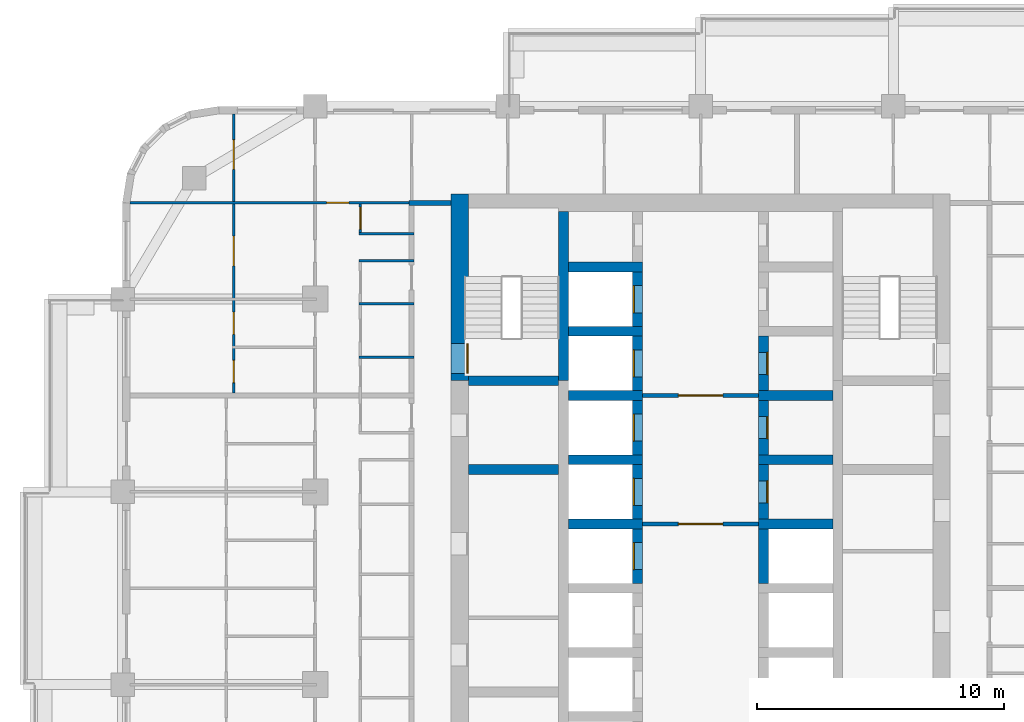
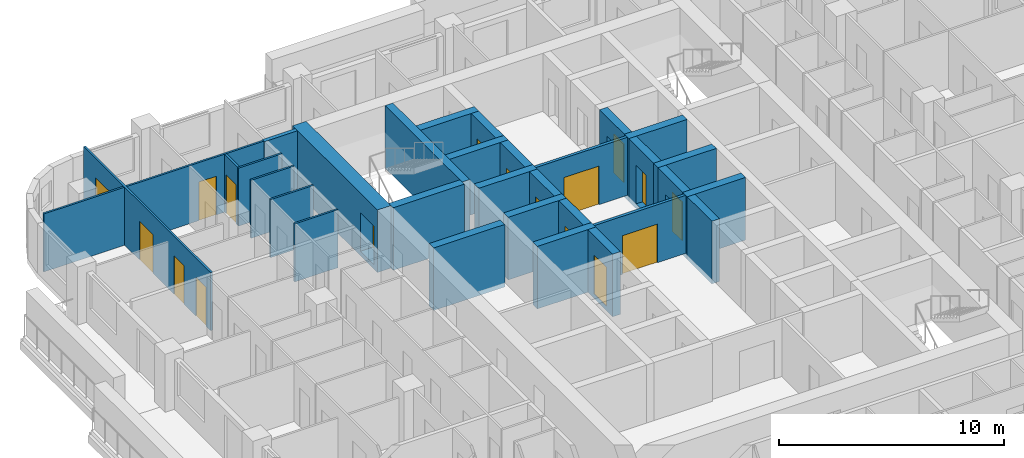
# One storey, part 10 of 17: 31 walls, 17 doors, 17 openings.
"""IFC4 building model written with IfcOpenShell, lengths in metres."""

from ifc_helpers import new_model, si_unit, direction, frame, frame_2d, origin, place, context, subcontext, project, spatial, rectangle, extrude, material, layer, layer_set, type_object, element, fill, save


model = new_model("IFC4")

# Units and contexts
model_context = context("Model", 3, precision=1e-05, world=origin(), true_north=direction((0.0, 1.0)))
body_context = subcontext(model_context, "Body", "Model", "MODEL_VIEW")
ifc_project = project(units=[si_unit("LENGTHUNIT", "METRE"), si_unit("AREAUNIT", "SQUARE_METRE"), si_unit("VOLUMEUNIT", "CUBIC_METRE"), si_unit("PLANEANGLEUNIT", "RADIAN"), si_unit("MASSUNIT", "GRAM", prefix="KILO")], contexts=[model_context])

# Site, building, storey
site_placement = place(None, origin())
site = spatial("IfcSite", under=ifc_project, at=site_placement, CompositionType="ELEMENT")
building_placement = place(site_placement, origin())
building = spatial("IfcBuilding", under=site, at=building_placement, Name="Ludao Terraces", CompositionType="ELEMENT")
storey_placement = place(building_placement, frame((0.0, 0.0, 85.199951171875)))
storey = spatial("IfcBuildingStorey", under=building, at=storey_placement, Name="L23", CompositionType="ELEMENT", Elevation=85.199951171875)

# Wall, opening, door
ifc_material_1 = material(Name="Concrete C70", Category="concrete")
ifc_layer_1 = layer(ifc_material_1, 0.699951171875)
ifc_layer_set_1 = layer_set([ifc_layer_1], Name="Core wall 700 C70")
wall_type_1 = type_object("IfcWallType", Name="Core wall 700 C70", PredefinedType="SOLIDWALL", material=ifc_layer_set_1)
wall_1_placement = place(storey_placement, frame((75.25, 77.300048828125, -0.25), z_axis=(0.0, 0.0, 1.0), x_axis=(0.0, 1.0, 0.0)))
wall_1 = element("IfcWall", 1, at=wall_1_placement, inside=storey, type_object=wall_type_1, Name="Core wall L23 outer-W-S1", PredefinedType="SOLIDWALL", context=body_context, shape_type="SweptSolid", body=[
    extrude(rectangle(XDim=7.550048828125, YDim=0.699951171875, at=frame_2d((3.77490234375, 0.0))), origin(), (0.0, 0.0, 1.0), 3.400146484375),
])
opening_1_placement = place(wall_1_placement, frame((0.300048828125, 0.0, 0.25)))
opening_1 = element("IfcOpeningElement", 2, at=opening_1_placement, cuts=wall_1, Name="Opening R07-131", PredefinedType="OPENING", context=body_context, shape_type="SweptSolid", body=[
    extrude(rectangle(XDim=1.199951171875, YDim=2.10009765625, at=frame_2d((0.60009765625, 1.050048828125))), frame((0.0, 0.35986328125, 0.0), z_axis=(0.0, -1.0, 0.0), x_axis=(1.0, 0.0, 0.0)), (0.0, 0.0, 1.0), 0.719970703125),
])
ifc_material_2 = material(Name="Steel Q235", Category="steel")
door_type_1 = type_object("IfcDoorType", Name="INT Stair door 1200", OperationType="DOUBLE_DOOR_SINGLE_SWING", PredefinedType="DOOR", material=ifc_material_2)
door_1_placement = place(opening_1_placement, origin())
door_1 = element("IfcDoor", 3, at=door_1_placement, inside=storey, type_object=door_type_1, Name="DOOR 131", OperationType="DOUBLE_DOOR_SINGLE_SWING", OverallHeight=2.10009765625, OverallWidth=1.199951171875, PredefinedType="DOOR", context=body_context, shape_type="SweptSolid", body=[
    extrude(rectangle(XDim=1.199951171875, YDim=2.10009765625, at=frame_2d((0.60009765625, 1.050048828125))), frame((0.0, -0.28515625, 0.0), z_axis=(0.0, -1.0, 0.0), x_axis=(1.0, 0.0, 0.0)), (0.0, 0.0, 1.0), 0.050048828125),
])
fill(opening_1, door_1)

ifc_material_3 = material(Name="Fire-rated gypsum plasterboard", Category="gypsum")
ifc_layer_2 = layer(ifc_material_3, 0.012451171875, Category="gypsum")
ifc_material_4 = material(Name="Mineral wool")
ifc_layer_3 = layer(ifc_material_4, 0.10009765625, Name="insulation")
ifc_layer_4 = layer(ifc_material_2, 0.02490234375, Name="stud")
ifc_layer_5 = layer(ifc_material_3, 0.012451171875, Category="gypsum")
ifc_layer_set_2 = layer_set([ifc_layer_2, ifc_layer_3, ifc_layer_4, ifc_layer_5], Name="INT Core partition 150")
wall_type_2 = type_object("IfcWallType", Name="INT Core partition 150", PredefinedType="PARTITIONING", material=ifc_layer_set_2)
wall_2_placement = place(storey_placement, frame((82.650146484375, 71.5, 0.0), z_axis=(0.0, 0.0, 1.0), x_axis=(1.0, 0.0, 0.0)))
wall_2 = element("IfcWall", 4, at=wall_2_placement, inside=storey, type_object=wall_type_2, Name="PW-L23-PW052", PredefinedType="PARTITIONING", context=body_context, shape_type="SweptSolid", body=[
    extrude(rectangle(XDim=4.699951171875, YDim=0.14990234375, at=frame_2d((2.35009765625, 0.0))), origin(), (0.0, 0.0, 1.0), 3.150146484375),
])
opening_2_placement = place(wall_2_placement, frame((1.449951171875, 0.0, 0.0)))
opening_2 = element("IfcOpeningElement", 5, at=opening_2_placement, cuts=wall_2, Name="Opening R07-103", PredefinedType="OPENING", context=body_context, shape_type="SweptSolid", body=[
    extrude(rectangle(XDim=1.800048828125, YDim=2.10009765625, at=frame_2d((0.89990234375, 1.050048828125))), frame((0.0, 0.0849609375, 0.0), z_axis=(0.0, -1.0, 0.0), x_axis=(1.0, 0.0, 0.0)), (0.0, 0.0, 1.0), 0.169921875),
])
door_type_2 = type_object("IfcDoorType", Name="INT Fire lobby door 1800", OperationType="DOUBLE_DOOR_SINGLE_SWING", PredefinedType="DOOR", material=ifc_material_2)
door_2_placement = place(opening_2_placement, origin())
door_2 = element("IfcDoor", 6, at=door_2_placement, inside=storey, type_object=door_type_2, Name="DOOR 103", OperationType="DOUBLE_DOOR_SINGLE_SWING", OverallHeight=2.10009765625, OverallWidth=1.800048828125, PredefinedType="DOOR", context=body_context, shape_type="SweptSolid", body=[
    extrude(rectangle(XDim=1.800048828125, YDim=2.10009765625, at=frame_2d((0.89990234375, 1.050048828125))), frame((0.0, 0.02490234375, 0.0), z_axis=(0.0, -1.0, 0.0), x_axis=(1.0, 0.0, 0.0)), (0.0, 0.0, 1.0), 0.050048828125),
])
fill(opening_2, door_2)

wall_3_placement = place(storey_placement, frame((82.650146484375, 76.699951171875, 0.0), z_axis=(0.0, 0.0, 1.0), x_axis=(1.0, 0.0, 0.0)))
wall_3 = element("IfcWall", 7, at=wall_3_placement, inside=storey, type_object=wall_type_2, Name="PW-L23-PW062", PredefinedType="PARTITIONING", context=body_context, shape_type="SweptSolid", body=[
    extrude(rectangle(XDim=4.699951171875, YDim=0.14990234375, at=frame_2d((2.35009765625, 0.0))), origin(), (0.0, 0.0, 1.0), 3.150146484375),
])
opening_3_placement = place(wall_3_placement, frame((1.449951171875, 0.0, 0.0)))
opening_3 = element("IfcOpeningElement", 8, at=opening_3_placement, cuts=wall_3, Name="Opening R07-126", PredefinedType="OPENING", context=body_context, shape_type="SweptSolid", body=[
    extrude(rectangle(XDim=1.800048828125, YDim=2.10009765625, at=frame_2d((0.89990234375, 1.050048828125))), frame((0.0, 0.0849609375, 0.0), z_axis=(0.0, -1.0, 0.0), x_axis=(1.0, 0.0, 0.0)), (0.0, 0.0, 1.0), 0.169921875),
])
door_3_placement = place(opening_3_placement, origin())
door_3 = element("IfcDoor", 9, at=door_3_placement, inside=storey, type_object=door_type_2, Name="DOOR 126", OperationType="DOUBLE_DOOR_SINGLE_SWING", OverallHeight=2.10009765625, OverallWidth=1.800048828125, PredefinedType="DOOR", context=body_context, shape_type="SweptSolid", body=[
    extrude(rectangle(XDim=1.800048828125, YDim=2.10009765625, at=frame_2d((0.89990234375, 1.050048828125))), frame((0.0, 0.02490234375, 0.0), z_axis=(0.0, -1.0, 0.0), x_axis=(1.0, 0.0, 0.0)), (0.0, 0.0, 1.0), 0.050048828125),
])
fill(opening_3, door_3)

# Walls
ifc_material_5 = material(Name="Autoclaved aerated concrete block B06 A3.5", Category="concrete")
ifc_layer_6 = layer(ifc_material_5, 0.199951171875)
ifc_layer_set_3 = layer_set([ifc_layer_6], Name="INT Entrance wall 200")
wall_type_3 = type_object("IfcWallType", Name="INT Entrance wall 200", PredefinedType="PARTITIONING", material=ifc_layer_set_3)
wall_4_placement = place(storey_placement, frame((73.2001953125, 84.5, 0.0), z_axis=(0.0, 0.0, 1.0), x_axis=(1.0, 0.0, 0.0)))
element("IfcWall", 10, at=wall_4_placement, inside=storey, type_object=wall_type_3, Name="PW-L23-PW076", PredefinedType="PARTITIONING", context=body_context, shape_type="SweptSolid", body=[
    extrude(rectangle(XDim=1.699951171875, YDim=0.199951171875, at=frame_2d((0.85009765625, 0.0))), origin(), (0.0, 0.0, 1.0), 3.150146484375),
])
ifc_material_6 = material(Name="Gypsum plasterboard", Category="gypsum")
ifc_layer_7 = layer(ifc_material_6, 0.012451171875, Category="gypsum")
ifc_layer_8 = layer(ifc_material_4, 0.06005859375, Name="insulation")
ifc_layer_9 = layer(ifc_material_2, 0.014892578125, Name="stud")
ifc_layer_10 = layer(ifc_material_6, 0.012451171875, Category="gypsum")
ifc_layer_set_4 = layer_set([ifc_layer_7, ifc_layer_8, ifc_layer_9, ifc_layer_10], Name="INT Partition 100")
wall_type_4 = type_object("IfcWallType", Name="INT Partition 100", PredefinedType="PARTITIONING", material=ifc_layer_set_4)
for number, where, z_axis, x_axis, name in (
    (11, (71.18017578125, 78.25, 0.0), (0.0, 0.0, 1.0), (1.0, 0.0, 0.0), "PW-L23-PW065"),
    (12, (71.18017578125, 80.419921875, 0.0), (0.0, 0.0, 1.0), (1.0, 0.0, 0.0), "PW-L23-PW068"),
    (13, (71.18017578125, 82.14990234375, 0.0), (0.0, 0.0, 1.0), (1.0, 0.0, 0.0), "PW-L23-PW071"),
    (14, (71.18017578125, 83.25, 0.0), (0.0, 0.0, 1.0), (1.0, 0.0, 0.0), "PW-L23-PW074"),
):
    element("IfcWall", number, at=place(storey_placement, frame(where, z_axis=z_axis, x_axis=x_axis)), inside=storey, type_object=wall_type_4, Name=name, PredefinedType="PARTITIONING", context=body_context, shape_type="SweptSolid", body=[
        extrude(rectangle(XDim=2.219970703125, YDim=0.10009765625, at=frame_2d((1.10986328125, 0.0))), origin(), (0.0, 0.0, 1.0), 3.150146484375),
    ])

# Wall, opening, door
wall_5_placement = place(storey_placement, frame((61.900146484375, 84.5, 0.0), z_axis=(0.0, 0.0, 1.0), x_axis=(1.0, 0.0, 0.0)))
wall_5 = element("IfcWall", 15, at=wall_5_placement, inside=storey, type_object=wall_type_4, Name="PW-L23-PW075", PredefinedType="PARTITIONING", context=body_context, shape_type="SweptSolid", body=[
    extrude(rectangle(XDim=11.5, YDim=0.10009765625, at=frame_2d((5.75, 0.0))), origin(), (0.0, 0.0, 1.0), 3.150146484375),
])
opening_4_placement = place(wall_5_placement, frame((7.965087890625, 0.0, 0.0)))
opening_4 = element("IfcOpeningElement", 16, at=opening_4_placement, cuts=wall_5, Name="Opening R07-153", PredefinedType="OPENING", context=body_context, shape_type="SweptSolid", body=[
    extrude(rectangle(XDim=0.89990234375, YDim=2.10009765625, at=frame_2d((0.449951171875, 1.050048828125))), frame((0.0, 0.06005859375, 0.0), z_axis=(0.0, -1.0, 0.0), x_axis=(1.0, 0.0, 0.0)), (0.0, 0.0, 1.0), 0.1201171875),
])
ifc_material_7 = material(Name="Timber door leaf", Category="wood")
door_type_3 = type_object("IfcDoorType", Name="INT Room door 900", OperationType="SINGLE_SWING_LEFT", PredefinedType="DOOR", material=ifc_material_7)
door_4_placement = place(opening_4_placement, origin())
door_4 = element("IfcDoor", 17, at=door_4_placement, inside=storey, type_object=door_type_3, Name="DOOR 153", OperationType="SINGLE_SWING_RIGHT", OverallHeight=2.10009765625, OverallWidth=0.89990234375, PredefinedType="DOOR", context=body_context, shape_type="SweptSolid", body=[
    extrude(rectangle(XDim=0.89990234375, YDim=2.10009765625, at=frame_2d((0.449951171875, 1.050048828125))), frame((0.0, 0.02490234375, 0.0), z_axis=(0.0, -1.0, 0.0), x_axis=(1.0, 0.0, 0.0)), (0.0, 0.0, 1.0), 0.050048828125),
])
fill(opening_4, door_4)

# Wall, openings, doors
wall_6_placement = place(storey_placement, frame((66.10009765625, 76.800048828125, 0.0), z_axis=(0.0, 0.0, 1.0), x_axis=(0.0, 1.0, 0.0)))
wall_6 = element("IfcWall", 18, at=wall_6_placement, inside=storey, type_object=wall_type_4, Name="PW-L23-PW081", PredefinedType="PARTITIONING", context=body_context, shape_type="SweptSolid", body=[
    extrude(rectangle(XDim=11.300048828125, YDim=0.10009765625, at=frame_2d((5.64990234375, 0.0))), origin(), (0.0, 0.0, 1.0), 3.150146484375),
])
opening_5_placement = place(wall_6_placement, frame((0.425048828125, 0.0, 0.0)))
opening_5 = element("IfcOpeningElement", 19, at=opening_5_placement, cuts=wall_6, Name="Opening R07-128", PredefinedType="OPENING", context=body_context, shape_type="SweptSolid", body=[
    extrude(rectangle(XDim=0.89990234375, YDim=2.10009765625, at=frame_2d((0.449951171875, 1.050048828125))), frame((0.0, 0.06005859375, 0.0), z_axis=(0.0, -1.0, 0.0), x_axis=(1.0, 0.0, 0.0)), (0.0, 0.0, 1.0), 0.1201171875),
])
opening_6_placement = place(wall_6_placement, frame((2.375, 0.0, 0.0)))
opening_6 = element("IfcOpeningElement", 20, at=opening_6_placement, cuts=wall_6, Name="Opening R07-138", PredefinedType="OPENING", context=body_context, shape_type="SweptSolid", body=[
    extrude(rectangle(XDim=0.89990234375, YDim=2.10009765625, at=frame_2d((0.449951171875, 1.050048828125))), frame((0.0, 0.06005859375, 0.0), z_axis=(0.0, -1.0, 0.0), x_axis=(1.0, 0.0, 0.0)), (0.0, 0.0, 1.0), 0.1201171875),
])
opening_7_placement = place(wall_6_placement, frame((5.14990234375, 0.0, 0.0)))
opening_7 = element("IfcOpeningElement", 21, at=opening_7_placement, cuts=wall_6, Name="Opening R07-145", PredefinedType="OPENING", context=body_context, shape_type="SweptSolid", body=[
    extrude(rectangle(XDim=1.199951171875, YDim=2.10009765625, at=frame_2d((0.60009765625, 1.050048828125))), frame((0.0, 0.06005859375, 0.0), z_axis=(0.0, -1.0, 0.0), x_axis=(1.0, 0.0, 0.0)), (0.0, 0.0, 1.0), 0.1201171875),
])
opening_8_placement = place(wall_6_placement, frame((9.050048828125, 0.0, 0.0)))
opening_8 = element("IfcOpeningElement", 22, at=opening_8_placement, cuts=wall_6, Name="Opening R07-155", PredefinedType="OPENING", context=body_context, shape_type="SweptSolid", body=[
    extrude(rectangle(XDim=1.199951171875, YDim=2.10009765625, at=frame_2d((0.60009765625, 1.050048828125))), frame((0.0, 0.06005859375, 0.0), z_axis=(0.0, -1.0, 0.0), x_axis=(1.0, 0.0, 0.0)), (0.0, 0.0, 1.0), 0.1201171875),
])
door_type_4 = type_object("IfcDoorType", Name="INT Bathroom door 900", OperationType="SINGLE_SWING_LEFT", PredefinedType="DOOR", material=ifc_material_7)
door_5_placement = place(opening_5_placement, origin())
door_5 = element("IfcDoor", 23, at=door_5_placement, inside=storey, type_object=door_type_4, Name="DOOR 128", OperationType="SINGLE_SWING_RIGHT", OverallHeight=2.10009765625, OverallWidth=0.89990234375, PredefinedType="DOOR", context=body_context, shape_type="SweptSolid", body=[
    extrude(rectangle(XDim=0.89990234375, YDim=2.10009765625, at=frame_2d((0.449951171875, 1.050048828125))), frame((0.0, 0.02490234375, 0.0), z_axis=(0.0, -1.0, 0.0), x_axis=(1.0, 0.0, 0.0)), (0.0, 0.0, 1.0), 0.050048828125),
])
fill(opening_5, door_5)
door_type_5 = type_object("IfcDoorType", Name="INT Double door 1200", OperationType="DOUBLE_DOOR_SINGLE_SWING", PredefinedType="DOOR", material=ifc_material_7)
door_6_placement = place(opening_7_placement, origin())
door_6 = element("IfcDoor", 24, at=door_6_placement, inside=storey, type_object=door_type_5, Name="DOOR 145", OperationType="DOUBLE_DOOR_SINGLE_SWING", OverallHeight=2.10009765625, OverallWidth=1.199951171875, PredefinedType="DOOR", context=body_context, shape_type="SweptSolid", body=[
    extrude(rectangle(XDim=1.199951171875, YDim=2.10009765625, at=frame_2d((0.60009765625, 1.050048828125))), frame((0.0, 0.02490234375, 0.0), z_axis=(0.0, -1.0, 0.0), x_axis=(1.0, 0.0, 0.0)), (0.0, 0.0, 1.0), 0.050048828125),
])
fill(opening_7, door_6)
door_7_placement = place(opening_8_placement, origin())
door_7 = element("IfcDoor", 25, at=door_7_placement, inside=storey, type_object=door_type_5, Name="DOOR 155", OperationType="DOUBLE_DOOR_SINGLE_SWING", OverallHeight=2.10009765625, OverallWidth=1.199951171875, PredefinedType="DOOR", context=body_context, shape_type="SweptSolid", body=[
    extrude(rectangle(XDim=1.199951171875, YDim=2.10009765625, at=frame_2d((0.60009765625, 1.050048828125))), frame((0.0, 0.02490234375, 0.0), z_axis=(0.0, -1.0, 0.0), x_axis=(1.0, 0.0, 0.0)), (0.0, 0.0, 1.0), 0.050048828125),
])
fill(opening_8, door_7)
door_8_placement = place(opening_6_placement, origin())
door_8 = element("IfcDoor", 26, at=door_8_placement, inside=storey, type_object=door_type_3, Name="DOOR 138", OperationType="SINGLE_SWING_RIGHT", OverallHeight=2.10009765625, OverallWidth=0.89990234375, PredefinedType="DOOR", context=body_context, shape_type="SweptSolid", body=[
    extrude(rectangle(XDim=0.89990234375, YDim=2.10009765625, at=frame_2d((0.449951171875, 1.050048828125))), frame((0.0, 0.02490234375, 0.0), z_axis=(0.0, -1.0, 0.0), x_axis=(1.0, 0.0, 0.0)), (0.0, 0.0, 1.0), 0.050048828125),
])
fill(opening_6, door_8)

# Wall, opening, door
wall_7_placement = place(storey_placement, frame((71.22998046875, 83.300048828125, 0.0), z_axis=(0.0, 0.0, 1.0), x_axis=(0.0, 1.0, 0.0)))
wall_7 = element("IfcWall", 27, at=wall_7_placement, inside=storey, type_object=wall_type_4, Name="PW-L23-PW086", PredefinedType="PARTITIONING", context=body_context, shape_type="SweptSolid", body=[
    extrude(rectangle(XDim=1.150146484375, YDim=0.10009765625, at=frame_2d((0.5751953125, 0.0))), origin(), (0.0, 0.0, 1.0), 3.150146484375),
])
opening_9_placement = place(wall_7_placement, frame((0.125, 0.0, 0.0)))
opening_9 = element("IfcOpeningElement", 28, at=opening_9_placement, cuts=wall_7, Name="Opening R07-152", PredefinedType="OPENING", context=body_context, shape_type="SweptSolid", body=[
    extrude(rectangle(XDim=0.89990234375, YDim=2.10009765625, at=frame_2d((0.449951171875, 1.050048828125))), frame((0.0, 0.06005859375, 0.0), z_axis=(0.0, -1.0, 0.0), x_axis=(1.0, 0.0, 0.0)), (0.0, 0.0, 1.0), 0.1201171875),
])
door_9_placement = place(opening_9_placement, origin())
door_9 = element("IfcDoor", 29, at=door_9_placement, inside=storey, type_object=door_type_4, Name="DOOR 152", OperationType="SINGLE_SWING_RIGHT", OverallHeight=2.10009765625, OverallWidth=0.89990234375, PredefinedType="DOOR", context=body_context, shape_type="SweptSolid", body=[
    extrude(rectangle(XDim=0.89990234375, YDim=2.10009765625, at=frame_2d((0.449951171875, 1.050048828125))), frame((0.0, 0.02490234375, 0.0), z_axis=(0.0, -1.0, 0.0), x_axis=(1.0, 0.0, 0.0)), (0.0, 0.0, 1.0), 0.050048828125),
])
fill(opening_9, door_9)

# Wall
ifc_material_8 = material(Name="Concrete C60", Category="concrete")
ifc_layer_11 = layer(ifc_material_8, 0.39990234375)
ifc_layer_set_5 = layer_set([ifc_layer_11], Name="Shaft wall 400 C60")
wall_type_5 = type_object("IfcWallType", Name="Shaft wall 400 C60", PredefinedType="SOLIDWALL", material=ifc_layer_set_5)
wall_8_placement = place(storey_placement, frame((79.449951171875, 77.300048828125, -0.25), z_axis=(0.0, 0.0, 1.0), x_axis=(0.0, 1.0, 0.0)))
element("IfcWall", 30, at=wall_8_placement, inside=storey, type_object=wall_type_5, Name="Core wall L23 back-W-S1", PredefinedType="SOLIDWALL", context=body_context, shape_type="SweptSolid", body=[
    extrude(rectangle(XDim=6.849853515625, YDim=0.39990234375, at=frame_2d((3.4248046875, 0.0))), origin(), (0.0, 0.0, 1.0), 3.400146484375),
])

# Wall, opening, door
wall_9_placement = place(storey_placement, frame((82.449951171875, 69.10009765625, -0.25), z_axis=(0.0, 0.0, 1.0), x_axis=(0.0, 1.0, 0.0)))
wall_9 = element("IfcWall", 31, at=wall_9_placement, inside=storey, type_object=wall_type_5, Name="Core wall L23 front-W4", PredefinedType="SOLIDWALL", context=body_context, shape_type="SweptSolid", body=[
    extrude(rectangle(XDim=2.199951171875, YDim=0.39990234375, at=frame_2d((1.10009765625, 0.0))), origin(), (0.0, 0.0, 1.0), 3.400146484375),
])
opening_10_placement = place(wall_9_placement, frame((0.550048828125, 0.0, 0.25)))
opening_10 = element("IfcOpeningElement", 32, at=opening_10_placement, cuts=wall_9, Name="Opening LD-LA4", PredefinedType="OPENING", context=body_context, shape_type="SweptSolid", body=[
    extrude(rectangle(XDim=1.10009765625, YDim=2.10009765625, at=frame_2d((0.550048828125, 1.050048828125))), frame((0.0, 0.2099609375, 0.0), z_axis=(0.0, -1.0, 0.0), x_axis=(1.0, 0.0, 0.0)), (0.0, 0.0, 1.0), 0.419921875),
])
ifc_material_9 = material(Name="Stainless steel 304", Category="steel")
door_type_6 = type_object("IfcDoorType", Name="INT Lift landing door 1100", OperationType="SLIDING_TO_LEFT", PredefinedType="DOOR", material=ifc_material_9)
door_10_placement = place(opening_10_placement, origin())
door_10 = element("IfcDoor", 33, at=door_10_placement, inside=storey, type_object=door_type_6, Name="LANDING DOOR LA4 L23", OperationType="SLIDING_TO_LEFT", OverallHeight=2.10009765625, OverallWidth=1.10009765625, PredefinedType="DOOR", context=body_context, shape_type="SweptSolid", body=[
    extrude(rectangle(XDim=1.10009765625, YDim=2.10009765625, at=frame_2d((0.550048828125, 1.050048828125))), frame((0.0, 0.18505859375, 0.0), z_axis=(0.0, -1.0, 0.0), x_axis=(1.0, 0.0, 0.0)), (0.0, 0.0, 1.0), 0.050048828125),
])
fill(opening_10, door_10)

# Wall
wall_10_placement = place(storey_placement, frame((79.64990234375, 71.5, -0.25), z_axis=(0.0, 0.0, 1.0), x_axis=(1.0, 0.0, 0.0)))
element("IfcWall", 34, at=wall_10_placement, inside=storey, type_object=wall_type_5, Name="Core wall L23 div-W5", PredefinedType="SOLIDWALL", context=body_context, shape_type="SweptSolid", body=[
    extrude(rectangle(XDim=3.0, YDim=0.39990234375, at=frame_2d((1.5, 0.0))), origin(), (0.0, 0.0, 1.0), 3.400146484375),
])

# Wall, opening, door
wall_11_placement = place(storey_placement, frame((82.449951171875, 71.699951171875, -0.25), z_axis=(0.0, 0.0, 1.0), x_axis=(0.0, 1.0, 0.0)))
wall_11 = element("IfcWall", 35, at=wall_11_placement, inside=storey, type_object=wall_type_5, Name="Core wall L23 front-W5", PredefinedType="SOLIDWALL", context=body_context, shape_type="SweptSolid", body=[
    extrude(rectangle(XDim=2.199951171875, YDim=0.39990234375, at=frame_2d((1.10009765625, 0.0))), origin(), (0.0, 0.0, 1.0), 3.400146484375),
])
opening_11_placement = place(wall_11_placement, frame((0.550048828125, 0.0, 0.25)))
opening_11 = element("IfcOpeningElement", 36, at=opening_11_placement, cuts=wall_11, Name="Opening LD-LA5", PredefinedType="OPENING", context=body_context, shape_type="SweptSolid", body=[
    extrude(rectangle(XDim=1.10009765625, YDim=2.10009765625, at=frame_2d((0.550048828125, 1.050048828125))), frame((0.0, 0.2099609375, 0.0), z_axis=(0.0, -1.0, 0.0), x_axis=(1.0, 0.0, 0.0)), (0.0, 0.0, 1.0), 0.419921875),
])
door_11_placement = place(opening_11_placement, origin())
door_11 = element("IfcDoor", 37, at=door_11_placement, inside=storey, type_object=door_type_6, Name="LANDING DOOR LA5 L23", OperationType="SLIDING_TO_LEFT", OverallHeight=2.10009765625, OverallWidth=1.10009765625, PredefinedType="DOOR", context=body_context, shape_type="SweptSolid", body=[
    extrude(rectangle(XDim=1.10009765625, YDim=2.10009765625, at=frame_2d((0.550048828125, 1.050048828125))), frame((0.0, 0.18505859375, 0.0), z_axis=(0.0, -1.0, 0.0), x_axis=(1.0, 0.0, 0.0)), (0.0, 0.0, 1.0), 0.050048828125),
])
fill(opening_11, door_11)

# Wall
wall_12_placement = place(storey_placement, frame((79.64990234375, 74.10009765625, -0.25), z_axis=(0.0, 0.0, 1.0), x_axis=(1.0, 0.0, 0.0)))
element("IfcWall", 38, at=wall_12_placement, inside=storey, type_object=wall_type_5, Name="Core wall L23 div-W6", PredefinedType="SOLIDWALL", context=body_context, shape_type="SweptSolid", body=[
    extrude(rectangle(XDim=3.0, YDim=0.39990234375, at=frame_2d((1.5, 0.0))), origin(), (0.0, 0.0, 1.0), 3.400146484375),
])

# Wall, opening, door
wall_13_placement = place(storey_placement, frame((82.449951171875, 74.300048828125, -0.25), z_axis=(0.0, 0.0, 1.0), x_axis=(0.0, 1.0, 0.0)))
wall_13 = element("IfcWall", 39, at=wall_13_placement, inside=storey, type_object=wall_type_5, Name="Core wall L23 front-W6", PredefinedType="SOLIDWALL", context=body_context, shape_type="SweptSolid", body=[
    extrude(rectangle(XDim=2.199951171875, YDim=0.39990234375, at=frame_2d((1.10009765625, 0.0))), origin(), (0.0, 0.0, 1.0), 3.400146484375),
])
opening_12_placement = place(wall_13_placement, frame((0.550048828125, 0.0, 0.25)))
opening_12 = element("IfcOpeningElement", 40, at=opening_12_placement, cuts=wall_13, Name="Opening LD-LA6", PredefinedType="OPENING", context=body_context, shape_type="SweptSolid", body=[
    extrude(rectangle(XDim=1.10009765625, YDim=2.10009765625, at=frame_2d((0.550048828125, 1.050048828125))), frame((0.0, 0.2099609375, 0.0), z_axis=(0.0, -1.0, 0.0), x_axis=(1.0, 0.0, 0.0)), (0.0, 0.0, 1.0), 0.419921875),
])
door_12_placement = place(opening_12_placement, origin())
door_12 = element("IfcDoor", 41, at=door_12_placement, inside=storey, type_object=door_type_6, Name="LANDING DOOR LA6 L23", OperationType="SLIDING_TO_LEFT", OverallHeight=2.10009765625, OverallWidth=1.10009765625, PredefinedType="DOOR", context=body_context, shape_type="SweptSolid", body=[
    extrude(rectangle(XDim=1.10009765625, YDim=2.10009765625, at=frame_2d((0.550048828125, 1.050048828125))), frame((0.0, 0.18505859375, 0.0), z_axis=(0.0, -1.0, 0.0), x_axis=(1.0, 0.0, 0.0)), (0.0, 0.0, 1.0), 0.050048828125),
])
fill(opening_12, door_12)

# Wall
wall_14_placement = place(storey_placement, frame((79.64990234375, 76.699951171875, -0.25), z_axis=(0.0, 0.0, 1.0), x_axis=(1.0, 0.0, 0.0)))
element("IfcWall", 42, at=wall_14_placement, inside=storey, type_object=wall_type_5, Name="Core wall L23 div-W7", PredefinedType="SOLIDWALL", context=body_context, shape_type="SweptSolid", body=[
    extrude(rectangle(XDim=3.0, YDim=0.39990234375, at=frame_2d((1.5, 0.0))), origin(), (0.0, 0.0, 1.0), 3.400146484375),
])

# Wall, opening, door
wall_15_placement = place(storey_placement, frame((82.449951171875, 76.89990234375, -0.25), z_axis=(0.0, 0.0, 1.0), x_axis=(0.0, 1.0, 0.0)))
wall_15 = element("IfcWall", 43, at=wall_15_placement, inside=storey, type_object=wall_type_5, Name="Core wall L23 front-W7", PredefinedType="SOLIDWALL", context=body_context, shape_type="SweptSolid", body=[
    extrude(rectangle(XDim=2.2001953125, YDim=0.39990234375, at=frame_2d((1.10009765625, 0.0))), origin(), (0.0, 0.0, 1.0), 3.400146484375),
])
opening_13_placement = place(wall_15_placement, frame((0.550048828125, 0.0, 0.25)))
opening_13 = element("IfcOpeningElement", 44, at=opening_13_placement, cuts=wall_15, Name="Opening LD-FF1", PredefinedType="OPENING", context=body_context, shape_type="SweptSolid", body=[
    extrude(rectangle(XDim=1.10009765625, YDim=2.10009765625, at=frame_2d((0.550048828125, 1.050048828125))), frame((0.0, 0.2099609375, 0.0), z_axis=(0.0, -1.0, 0.0), x_axis=(1.0, 0.0, 0.0)), (0.0, 0.0, 1.0), 0.419921875),
])
door_13_placement = place(opening_13_placement, origin())
door_13 = element("IfcDoor", 45, at=door_13_placement, inside=storey, type_object=door_type_6, Name="LANDING DOOR FF1 L23", OperationType="SLIDING_TO_LEFT", OverallHeight=2.10009765625, OverallWidth=1.10009765625, PredefinedType="DOOR", context=body_context, shape_type="SweptSolid", body=[
    extrude(rectangle(XDim=1.10009765625, YDim=2.10009765625, at=frame_2d((0.550048828125, 1.050048828125))), frame((0.0, 0.18505859375, 0.0), z_axis=(0.0, -1.0, 0.0), x_axis=(1.0, 0.0, 0.0)), (0.0, 0.0, 1.0), 0.050048828125),
])
fill(opening_13, door_13)

# Wall
wall_16_placement = place(storey_placement, frame((79.64990234375, 79.300048828125, -0.25), z_axis=(0.0, 0.0, 1.0), x_axis=(1.0, 0.0, 0.0)))
element("IfcWall", 46, at=wall_16_placement, inside=storey, type_object=wall_type_5, Name="Core wall L23 div-W8", PredefinedType="SOLIDWALL", context=body_context, shape_type="SweptSolid", body=[
    extrude(rectangle(XDim=3.0, YDim=0.39990234375, at=frame_2d((1.5, 0.0))), origin(), (0.0, 0.0, 1.0), 3.400146484375),
])

# Wall, opening, door
wall_17_placement = place(storey_placement, frame((82.449951171875, 79.5, -0.25), z_axis=(0.0, 0.0, 1.0), x_axis=(0.0, 1.0, 0.0)))
wall_17 = element("IfcWall", 47, at=wall_17_placement, inside=storey, type_object=wall_type_5, Name="Core wall L23 front-W8", PredefinedType="SOLIDWALL", context=body_context, shape_type="SweptSolid", body=[
    extrude(rectangle(XDim=2.199951171875, YDim=0.39990234375, at=frame_2d((1.10009765625, 0.0))), origin(), (0.0, 0.0, 1.0), 3.400146484375),
])
opening_14_placement = place(wall_17_placement, frame((0.550048828125, 0.0, 0.25)))
opening_14 = element("IfcOpeningElement", 48, at=opening_14_placement, cuts=wall_17, Name="Opening LD-FF2", PredefinedType="OPENING", context=body_context, shape_type="SweptSolid", body=[
    extrude(rectangle(XDim=1.10009765625, YDim=2.10009765625, at=frame_2d((0.550048828125, 1.050048828125))), frame((0.0, 0.2099609375, 0.0), z_axis=(0.0, -1.0, 0.0), x_axis=(1.0, 0.0, 0.0)), (0.0, 0.0, 1.0), 0.419921875),
])
door_14_placement = place(opening_14_placement, origin())
door_14 = element("IfcDoor", 49, at=door_14_placement, inside=storey, type_object=door_type_6, Name="LANDING DOOR FF2 L23", OperationType="SLIDING_TO_LEFT", OverallHeight=2.10009765625, OverallWidth=1.10009765625, PredefinedType="DOOR", context=body_context, shape_type="SweptSolid", body=[
    extrude(rectangle(XDim=1.10009765625, YDim=2.10009765625, at=frame_2d((0.550048828125, 1.050048828125))), frame((0.0, 0.18505859375, 0.0), z_axis=(0.0, -1.0, 0.0), x_axis=(1.0, 0.0, 0.0)), (0.0, 0.0, 1.0), 0.050048828125),
])
fill(opening_14, door_14)

# Walls
wall_18_placement = place(storey_placement, frame((79.64990234375, 81.89990234375, -0.25), z_axis=(0.0, 0.0, 1.0), x_axis=(1.0, 0.0, 0.0)))
element("IfcWall", 50, at=wall_18_placement, inside=storey, type_object=wall_type_5, Name="Core wall L23 div-W9", PredefinedType="SOLIDWALL", context=body_context, shape_type="SweptSolid", body=[
    extrude(rectangle(XDim=3.0, YDim=0.39990234375, at=frame_2d((1.5, 0.0))), origin(), (0.0, 0.0, 1.0), 3.400146484375),
])
wall_19_placement = place(storey_placement, frame((87.550048828125, 69.10009765625, -0.25), z_axis=(0.0, 0.0, 1.0), x_axis=(0.0, 1.0, 0.0)))
element("IfcWall", 51, at=wall_19_placement, inside=storey, type_object=wall_type_5, Name="Core wall L23 front-E4", PredefinedType="SOLIDWALL", context=body_context, shape_type="SweptSolid", body=[
    extrude(rectangle(XDim=2.199951171875, YDim=0.39990234375, at=frame_2d((1.10009765625, 0.0))), origin(), (0.0, 0.0, 1.0), 3.400146484375),
])
wall_20_placement = place(storey_placement, frame((87.35009765625, 71.5, -0.25), z_axis=(0.0, 0.0, 1.0), x_axis=(1.0, 0.0, 0.0)))
element("IfcWall", 52, at=wall_20_placement, inside=storey, type_object=wall_type_5, Name="Core wall L23 div-E5", PredefinedType="SOLIDWALL", context=body_context, shape_type="SweptSolid", body=[
    extrude(rectangle(XDim=3.0, YDim=0.39990234375, at=frame_2d((1.5, 0.0))), origin(), (0.0, 0.0, 1.0), 3.400146484375),
])

# Wall, opening, door
wall_21_placement = place(storey_placement, frame((87.550048828125, 71.699951171875, -0.25), z_axis=(0.0, 0.0, 1.0), x_axis=(0.0, 1.0, 0.0)))
wall_21 = element("IfcWall", 53, at=wall_21_placement, inside=storey, type_object=wall_type_5, Name="Core wall L23 front-E5", PredefinedType="SOLIDWALL", context=body_context, shape_type="SweptSolid", body=[
    extrude(rectangle(XDim=2.199951171875, YDim=0.39990234375, at=frame_2d((1.10009765625, 0.0))), origin(), (0.0, 0.0, 1.0), 3.400146484375),
])
opening_15_placement = place(wall_21_placement, frame((0.64990234375, 0.0, 0.25)))
opening_15 = element("IfcOpeningElement", 54, at=opening_15_placement, cuts=wall_21, Name="Opening R07-111", PredefinedType="OPENING", context=body_context, shape_type="SweptSolid", body=[
    extrude(rectangle(XDim=0.89990234375, YDim=2.10009765625, at=frame_2d((0.449951171875, 1.050048828125))), frame((0.0, 0.2099609375, 0.0), z_axis=(0.0, -1.0, 0.0), x_axis=(1.0, 0.0, 0.0)), (0.0, 0.0, 1.0), 0.419921875),
])
door_15_placement = place(opening_15_placement, origin())
door_15 = element("IfcDoor", 55, at=door_15_placement, inside=storey, type_object=door_type_3, Name="DOOR 111", OperationType="SINGLE_SWING_RIGHT", OverallHeight=2.10009765625, OverallWidth=0.89990234375, PredefinedType="DOOR", context=body_context, shape_type="SweptSolid", body=[
    extrude(rectangle(XDim=0.89990234375, YDim=2.10009765625, at=frame_2d((0.449951171875, 1.050048828125))), frame((0.0, -0.134765625, 0.0), z_axis=(0.0, -1.0, 0.0), x_axis=(1.0, 0.0, 0.0)), (0.0, 0.0, 1.0), 0.050048828125),
])
fill(opening_15, door_15)

# Wall
wall_22_placement = place(storey_placement, frame((87.35009765625, 74.10009765625, -0.25), z_axis=(0.0, 0.0, 1.0), x_axis=(1.0, 0.0, 0.0)))
element("IfcWall", 56, at=wall_22_placement, inside=storey, type_object=wall_type_5, Name="Core wall L23 div-E6", PredefinedType="SOLIDWALL", context=body_context, shape_type="SweptSolid", body=[
    extrude(rectangle(XDim=3.0, YDim=0.39990234375, at=frame_2d((1.5, 0.0))), origin(), (0.0, 0.0, 1.0), 3.400146484375),
])

# Wall, opening, door
wall_23_placement = place(storey_placement, frame((87.550048828125, 74.300048828125, -0.25), z_axis=(0.0, 0.0, 1.0), x_axis=(0.0, 1.0, 0.0)))
wall_23 = element("IfcWall", 57, at=wall_23_placement, inside=storey, type_object=wall_type_5, Name="Core wall L23 front-E6", PredefinedType="SOLIDWALL", context=body_context, shape_type="SweptSolid", body=[
    extrude(rectangle(XDim=2.199951171875, YDim=0.39990234375, at=frame_2d((1.10009765625, 0.0))), origin(), (0.0, 0.0, 1.0), 3.400146484375),
])
opening_16_placement = place(wall_23_placement, frame((0.64990234375, 0.0, 0.25)))
opening_16 = element("IfcOpeningElement", 58, at=opening_16_placement, cuts=wall_23, Name="Opening R07-118", PredefinedType="OPENING", context=body_context, shape_type="SweptSolid", body=[
    extrude(rectangle(XDim=0.89990234375, YDim=2.10009765625, at=frame_2d((0.449951171875, 1.050048828125))), frame((0.0, 0.2099609375, 0.0), z_axis=(0.0, -1.0, 0.0), x_axis=(1.0, 0.0, 0.0)), (0.0, 0.0, 1.0), 0.419921875),
])
door_16_placement = place(opening_16_placement, origin())
door_16 = element("IfcDoor", 59, at=door_16_placement, inside=storey, type_object=door_type_3, Name="DOOR 118", OperationType="SINGLE_SWING_RIGHT", OverallHeight=2.10009765625, OverallWidth=0.89990234375, PredefinedType="DOOR", context=body_context, shape_type="SweptSolid", body=[
    extrude(rectangle(XDim=0.89990234375, YDim=2.10009765625, at=frame_2d((0.449951171875, 1.050048828125))), frame((0.0, -0.134765625, 0.0), z_axis=(0.0, -1.0, 0.0), x_axis=(1.0, 0.0, 0.0)), (0.0, 0.0, 1.0), 0.050048828125),
])
fill(opening_16, door_16)

# Wall
wall_24_placement = place(storey_placement, frame((87.35009765625, 76.699951171875, -0.25), z_axis=(0.0, 0.0, 1.0), x_axis=(1.0, 0.0, 0.0)))
element("IfcWall", 60, at=wall_24_placement, inside=storey, type_object=wall_type_5, Name="Core wall L23 div-E7", PredefinedType="SOLIDWALL", context=body_context, shape_type="SweptSolid", body=[
    extrude(rectangle(XDim=3.0, YDim=0.39990234375, at=frame_2d((1.5, 0.0))), origin(), (0.0, 0.0, 1.0), 3.400146484375),
])

# Wall, opening, door
wall_25_placement = place(storey_placement, frame((87.550048828125, 76.89990234375, -0.25), z_axis=(0.0, 0.0, 1.0), x_axis=(0.0, 1.0, 0.0)))
wall_25 = element("IfcWall", 61, at=wall_25_placement, inside=storey, type_object=wall_type_5, Name="Core wall L23 front-E7", PredefinedType="SOLIDWALL", context=body_context, shape_type="SweptSolid", body=[
    extrude(rectangle(XDim=2.2001953125, YDim=0.39990234375, at=frame_2d((1.10009765625, 0.0))), origin(), (0.0, 0.0, 1.0), 3.400146484375),
])
opening_17_placement = place(wall_25_placement, frame((0.64990234375, 0.0, 0.25)))
opening_17 = element("IfcOpeningElement", 62, at=opening_17_placement, cuts=wall_25, Name="Opening R07-130", PredefinedType="OPENING", context=body_context, shape_type="SweptSolid", body=[
    extrude(rectangle(XDim=0.89990234375, YDim=2.10009765625, at=frame_2d((0.449951171875, 1.050048828125))), frame((0.0, 0.2099609375, 0.0), z_axis=(0.0, -1.0, 0.0), x_axis=(1.0, 0.0, 0.0)), (0.0, 0.0, 1.0), 0.419921875),
])
door_17_placement = place(opening_17_placement, origin())
door_17 = element("IfcDoor", 63, at=door_17_placement, inside=storey, type_object=door_type_3, Name="DOOR 130", OperationType="SINGLE_SWING_RIGHT", OverallHeight=2.10009765625, OverallWidth=0.89990234375, PredefinedType="DOOR", context=body_context, shape_type="SweptSolid", body=[
    extrude(rectangle(XDim=0.89990234375, YDim=2.10009765625, at=frame_2d((0.449951171875, 1.050048828125))), frame((0.0, -0.134765625, 0.0), z_axis=(0.0, -1.0, 0.0), x_axis=(1.0, 0.0, 0.0)), (0.0, 0.0, 1.0), 0.050048828125),
])
fill(opening_17, door_17)

# Walls
for number, where, z_axis, x_axis, name in (
    (64, (75.60009765625, 73.699951171875, -0.25), (0.0, 0.0, 1.0), (1.0, 0.0, 0.0), "Core wall L23 riser-b-W"),
    (65, (75.60009765625, 77.300048828125, -0.25), (0.0, 0.0, 1.0), (1.0, 0.0, 0.0), "Core wall L23 stair-W"),
):
    element("IfcWall", number, at=place(storey_placement, frame(where, z_axis=z_axis, x_axis=x_axis)), inside=storey, type_object=wall_type_5, Name=name, PredefinedType="SOLIDWALL", context=body_context, shape_type="SweptSolid", body=[
        extrude(rectangle(XDim=3.64990234375, YDim=0.39990234375, at=frame_2d((1.824951171875, 0.0))), origin(), (0.0, 0.0, 1.0), 3.400146484375),
    ])

save(model, "model.ifc")
